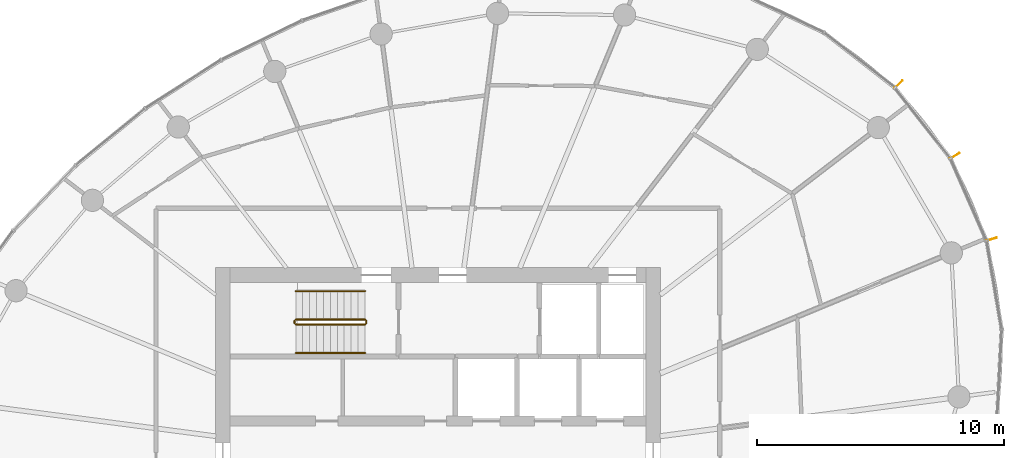
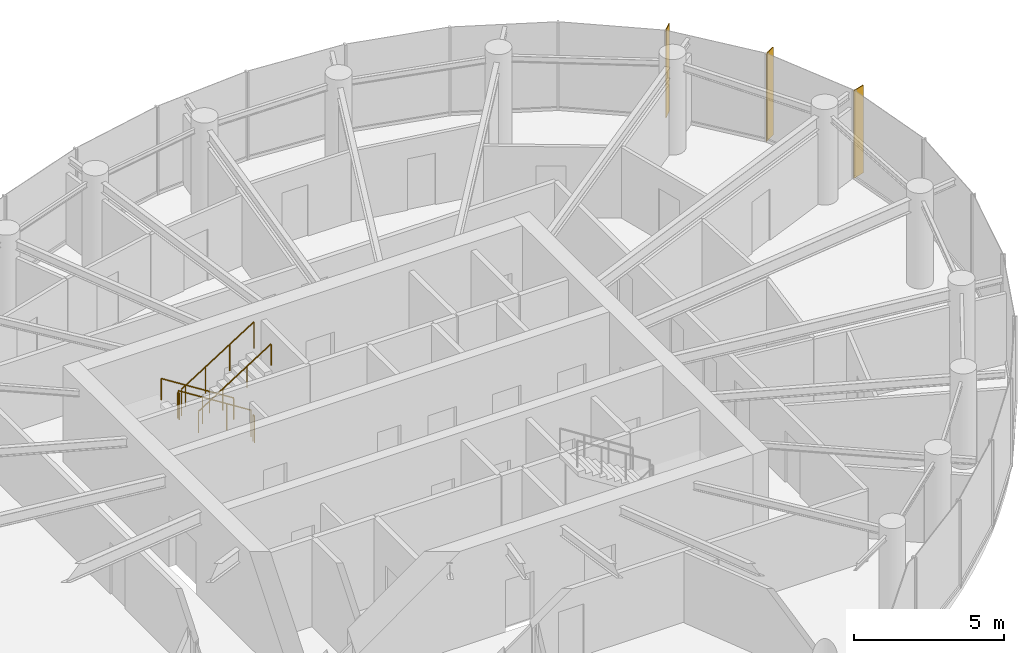
# One storey, part 14 of 14: 6 railings, 3 shading devices.
"""IFC4 building model written with IfcOpenShell, lengths in metres."""

from ifc_helpers import new_model, si_unit, direction, frame, origin, origin_2d, place, context, subcontext, project, spatial, rectangle, circle, extrude, source, transform, mapped, material, material_profile, profile_set, type_object, element, save


model = new_model("IFC4")

# Units and contexts
model_context = context("Model", 3, precision=1e-05, world=origin(), true_north=direction((0.0, 1.0)))
body_context = subcontext(model_context, "Body", "Model", "MODEL_VIEW")
ifc_project = project(units=[si_unit("LENGTHUNIT", "METRE"), si_unit("AREAUNIT", "SQUARE_METRE"), si_unit("VOLUMEUNIT", "CUBIC_METRE"), si_unit("PLANEANGLEUNIT", "RADIAN"), si_unit("MASSUNIT", "GRAM", prefix="KILO")], contexts=[model_context])

# Site, building, storey
site_placement = place(None, origin())
site = spatial("IfcSite", under=ifc_project, at=site_placement, CompositionType="ELEMENT")
building_placement = place(site_placement, origin())
building = spatial("IfcBuilding", under=site, at=building_placement, Name="Spindrift Exchange Tower", CompositionType="ELEMENT")
storey_placement = place(building_placement, frame((0.0, 0.0, 203.300048828125)))
storey = spatial("IfcBuildingStorey", under=building, at=storey_placement, Name="L49", CompositionType="ELEMENT", Elevation=203.300048828125)

# Railings
ifc_material_1 = material(Name="Steel balustrade", Category="steel")
railing_type_1 = type_object("IfcRailingType", Name="RL-STAIR-GUARD", PredefinedType="GUARDRAIL", material=ifc_material_1)
railing_1_placement = place(storey_placement, frame((49.050048828125, 53.89990234375, 0.17724609375)))
element("IfcRailing", 1, at=railing_1_placement, inside=storey, type_object=railing_type_1, Name="L49 ST1 stair guard 1", PredefinedType="GUARDRAIL", context=body_context, shape_type="SweptSolid", body=[
    extrude(circle(Radius=0.02392578125, at=origin_2d()), frame((0.0, 0.0, 1.076171875), z_axis=(-0.844908973607, 0.0, 0.534910110503), x_axis=(0.0, -1.0, 0.0)), (0.0, 0.0, 1.0), 3.31396484375),
    extrude(circle(Radius=0.02099609375, at=origin_2d()), origin(), (0.0, 0.0, 1.0), 1.052001953125),
    extrude(circle(Radius=0.02099609375, at=origin_2d()), frame((-0.933349609375, 0.0, 0.5908203125)), (0.0, 0.0, 1.0), 1.052001953125),
    extrude(circle(Radius=0.02099609375, at=origin_2d()), frame((-1.86669921875, 0.0, 1.181884765625)), (0.0, 0.0, 1.0), 1.052001953125),
    extrude(circle(Radius=0.02099609375, at=origin_2d()), frame((-2.800048828125, 0.0, 1.772705078125)), (0.0, 0.0, 1.0), 1.052001953125),
])
railing_2_placement = place(storey_placement, frame((46.199951171875, 53.85009765625, 1.949951171875)))
element("IfcRailing", 2, at=railing_2_placement, inside=storey, type_object=railing_type_1, Name="L49 ST1 stair guard 2", PredefinedType="GUARDRAIL", context=body_context, shape_type="SweptSolid", body=[
    extrude(circle(Radius=0.02392578125, at=origin_2d()), frame((0.0, 0.0, 1.076171875), z_axis=(0.0, -1.0, 0.0), x_axis=(1.0, 0.0, 0.0)), (0.0, 0.0, 1.0), 0.10009765625),
    extrude(circle(Radius=0.02099609375, at=origin_2d()), origin(), (0.0, 0.0, 1.0), 1.052001953125),
    extrude(circle(Radius=0.02099609375, at=origin_2d()), frame((0.0, -0.10009765625, 0.0)), (0.0, 0.0, 1.0), 1.052001953125),
])
railing_3_placement = place(storey_placement, frame((46.25, 53.699951171875, 2.127197265625)))
element("IfcRailing", 3, at=railing_3_placement, inside=storey, type_object=railing_type_1, Name="L49 ST1 stair guard 3", PredefinedType="GUARDRAIL", context=body_context, shape_type="SweptSolid", body=[
    extrude(circle(Radius=0.02392578125, at=origin_2d()), frame((0.0, 0.0, 1.076171875), z_axis=(0.844908973607, 0.0, 0.534910110503), x_axis=(0.0, 1.0, 0.0)), (0.0, 0.0, 1.0), 3.31396484375),
    extrude(circle(Radius=0.02099609375, at=origin_2d()), origin(), (0.0, 0.0, 1.0), 1.052001953125),
    extrude(circle(Radius=0.02099609375, at=origin_2d()), frame((0.933349609375, 0.0, 0.5908203125)), (0.0, 0.0, 1.0), 1.052001953125),
    extrude(circle(Radius=0.02099609375, at=origin_2d()), frame((1.86669921875, 0.0, 1.181884765625)), (0.0, 0.0, 1.0), 1.052001953125),
    extrude(circle(Radius=0.02099609375, at=origin_2d()), frame((2.800048828125, 0.0, 1.772705078125)), (0.0, 0.0, 1.0), 1.052001953125),
])
railing_4_placement = place(storey_placement, frame((49.10009765625, 53.85009765625, 0.0)))
element("IfcRailing", 4, at=railing_4_placement, inside=storey, type_object=railing_type_1, Name="L49 ST1 stair guard 4", PredefinedType="GUARDRAIL", context=body_context, shape_type="SweptSolid", body=[
    extrude(circle(Radius=0.02392578125, at=origin_2d()), frame((0.0, 0.0, 1.076171875), z_axis=(0.0, -1.0, 0.0), x_axis=(1.0, 0.0, 0.0)), (0.0, 0.0, 1.0), 0.10009765625),
    extrude(circle(Radius=0.02099609375, at=origin_2d()), origin(), (0.0, 0.0, 1.0), 1.052001953125),
    extrude(circle(Radius=0.02099609375, at=origin_2d()), frame((0.0, -0.10009765625, 0.0)), (0.0, 0.0, 1.0), 1.052001953125),
])
ifc_material_2 = material(Name="Steel tubular handrail", Category="steel")
railing_type_2 = type_object("IfcRailingType", Name="RL-STAIR-HAND", PredefinedType="HANDRAIL", material=ifc_material_2)
railing_5_placement = place(storey_placement, frame((49.050048828125, 55.050048828125, 0.17724609375)))
element("IfcRailing", 5, at=railing_5_placement, inside=storey, type_object=railing_type_2, Name="L49 ST1 stair handrail 1", PredefinedType="HANDRAIL", context=body_context, shape_type="SweptSolid", body=[
    extrude(circle(Radius=0.02392578125, at=origin_2d()), frame((0.0, 0.0, 0.8759765625), z_axis=(-0.844908973607, 0.0, 0.534910110503), x_axis=(0.0, -1.0, 0.0)), (0.0, 0.0, 1.0), 3.31396484375),
    extrude(circle(Radius=0.02099609375, at=origin_2d()), origin(), (0.0, 0.0, 1.0), 0.851806640625),
    extrude(circle(Radius=0.02099609375, at=origin_2d()), frame((-0.933349609375, 0.0, 0.5908203125)), (0.0, 0.0, 1.0), 0.851806640625),
    extrude(circle(Radius=0.02099609375, at=origin_2d()), frame((-1.86669921875, 0.0, 1.181884765625)), (0.0, 0.0, 1.0), 0.851806640625),
    extrude(circle(Radius=0.02099609375, at=origin_2d()), frame((-2.800048828125, 0.0, 1.772705078125)), (0.0, 0.0, 1.0), 0.851806640625),
])
railing_6_placement = place(storey_placement, frame((46.25, 52.550048828125, 2.127197265625)))
element("IfcRailing", 6, at=railing_6_placement, inside=storey, type_object=railing_type_2, Name="L49 ST1 stair handrail 2", PredefinedType="HANDRAIL", context=body_context, shape_type="SweptSolid", body=[
    extrude(circle(Radius=0.02392578125, at=origin_2d()), frame((0.0, 0.0, 0.8759765625), z_axis=(0.844908973607, 0.0, 0.534910110503), x_axis=(0.0, 1.0, 0.0)), (0.0, 0.0, 1.0), 3.31396484375),
    extrude(circle(Radius=0.02099609375, at=origin_2d()), origin(), (0.0, 0.0, 1.0), 0.851806640625),
    extrude(circle(Radius=0.02099609375, at=origin_2d()), frame((0.933349609375, 0.0, 0.5908203125)), (0.0, 0.0, 1.0), 0.851806640625),
    extrude(circle(Radius=0.02099609375, at=origin_2d()), frame((1.86669921875, 0.0, 1.181884765625)), (0.0, 0.0, 1.0), 0.851806640625),
    extrude(circle(Radius=0.02099609375, at=origin_2d()), frame((2.800048828125, 0.0, 1.772705078125)), (0.0, 0.0, 1.0), 0.851806640625),
])

# Shading devices
ifc_material_3 = material(Name="Bronze anodised aluminium", Category="aluminium")
ifc_material_profile = material_profile(ifc_material_3, rectangle(XDim=0.030029296875, YDim=0.449951171875, at=origin_2d()), Name="WIND FIN 30X450")
ifc_profile_set = profile_set([ifc_material_profile], Name="Bronze anodised aluminium")
shading_device_type = type_object("IfcShadingDeviceType", Name="WIND FIN 30X450", PredefinedType="USERDEFINED", material=ifc_profile_set)
shared_shape = source(origin(), body_context, "Body", "SweptSolid", [
    extrude(rectangle(XDim=0.030029296875, YDim=0.449951171875, at=origin_2d()), origin(), (0.0, 0.0, 1.0), 3.579833984375),
])
for number, where, z_axis, x_axis, name in (
    (7, (72.8935546875, 60.515869140625, 0.0), (0.0, 0.0, 1.0), (-0.513878173753, 0.857863172389, 0.0), "L49 wind fin 2"),
    (8, (70.61669921875, 63.41162109375, 0.0), (0.0, 0.0, 1.0), (-0.709242297911, 0.704964795471, 0.0), "L49 wind fin 3"),
    (9, (74.372314453125, 57.14208984375, 0.0), (0.0, 0.0, 1.0), (-0.286900764973, 0.957960307663, 0.0), "L49 wind fin 4"),
):
    element("IfcShadingDevice", number, at=place(storey_placement, frame(where, z_axis=z_axis, x_axis=x_axis)), inside=storey, type_object=shading_device_type, Name=name, ObjectType="FIN", PredefinedType="USERDEFINED", context=body_context, shape_type="MappedRepresentation", body=[
        mapped(shared_shape, transform((0.0, 0.0, 0.0), scale=1.0)),
    ])

save(model, "model.ifc")
